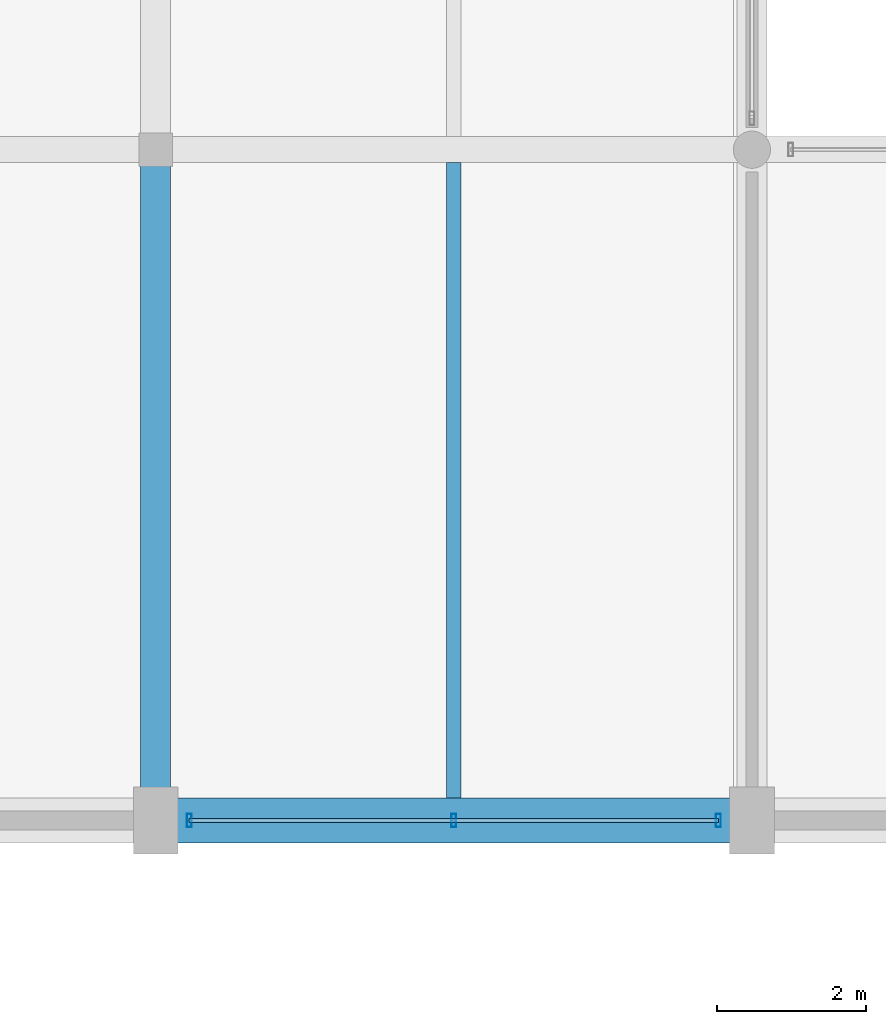
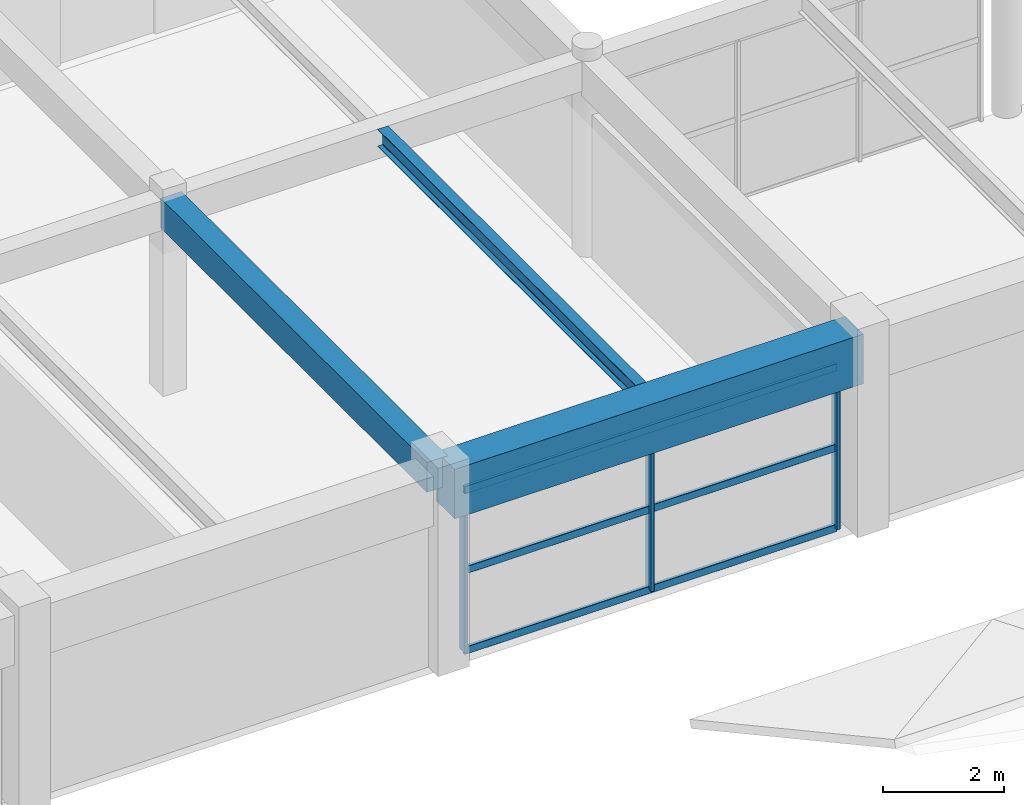
# One storey, part 41 of 126: 6 members, 3 beams, 1 element without a shape of its own.
"""IFC4 building model written with IfcOpenShell, lengths in metres."""

from ifc_helpers import new_model, si_unit, direction, frame, origin, origin_2d, place, context, subcontext, project, spatial, rectangle, hollow_rectangle, i_section, extrude, material, material_profile, profile_set, type_object, element, aggregate, save


model = new_model("IFC4")

# Units and contexts
model_context = context("Model", 3, precision=1e-05, world=origin(), true_north=direction((0.0, 1.0)))
body_context = subcontext(model_context, "Body", "Model", "MODEL_VIEW")
ifc_project = project(units=[si_unit("LENGTHUNIT", "METRE"), si_unit("AREAUNIT", "SQUARE_METRE"), si_unit("VOLUMEUNIT", "CUBIC_METRE"), si_unit("PLANEANGLEUNIT", "RADIAN"), si_unit("MASSUNIT", "GRAM", prefix="KILO")], contexts=[model_context])

# Site, building, storey
site_placement = place(None, origin())
site = spatial("IfcSite", under=ifc_project, at=site_placement, CompositionType="ELEMENT")
building_placement = place(site_placement, origin())
building = spatial("IfcBuilding", under=site, at=building_placement, Name="Varnabhumi Central Station", CompositionType="ELEMENT")
storey_placement = place(building_placement, frame((0.0, 0.0, 16.199951171875)))
storey = spatial("IfcBuildingStorey", under=building, at=storey_placement, Name="L03", CompositionType="ELEMENT", Elevation=16.199951171875)

# Beams
ifc_material_1 = material(Name="Concrete M40", Category="concrete")
ifc_material_profile_1 = material_profile(ifc_material_1, rectangle(XDim=0.39990234375, YDim=0.60009765625, at=origin_2d()), Name="Concrete M40", Category="concrete")
ifc_profile_set_1 = profile_set([ifc_material_profile_1], Name="Concrete M40")
beam_type_1 = type_object("IfcBeamType", Name="BM-RC-400x600", PredefinedType="BEAM", material=ifc_profile_set_1)
beam_1_placement = place(storey_placement, frame((40.0, 80.10009765625, 3.650146484375), z_axis=(0.0, 1.0, 0.0), x_axis=(-1.0, 0.0, 0.0)))
element("IfcBeam", 1, at=beam_1_placement, inside=storey, type_object=beam_type_1, Name="Beam L03-6:K-L", PredefinedType="BEAM", context=body_context, shape_type="SweptSolid", body=[
    extrude(rectangle(XDim=0.39990234375, YDim=0.60009765625, at=origin_2d()), origin(), (0.0, 0.0, 1.0), 8.7998046875),
])
ifc_material_2 = material(Name="Concrete M50", Category="concrete")
ifc_material_profile_2 = material_profile(ifc_material_2, rectangle(XDim=0.60009765625, YDim=1.0, at=origin_2d()), Name="Concrete M50", Category="concrete")
ifc_profile_set_2 = profile_set([ifc_material_profile_2], Name="Concrete M50")
beam_type_2 = type_object("IfcBeamType", Name="BM-RC-600x1000", PredefinedType="BEAM", material=ifc_profile_set_2)
beam_2_placement = place(storey_placement, frame((40.10009765625, 80.0, 3.449951171875), z_axis=(1.0, 0.0, 0.0), x_axis=(0.0, 1.0, 0.0)))
element("IfcBeam", 2, at=beam_2_placement, inside=storey, type_object=beam_type_2, Name="Beam L03-K:6-7", PredefinedType="BEAM", context=body_context, shape_type="SweptSolid", body=[
    extrude(rectangle(XDim=0.60009765625, YDim=1.0, at=origin_2d()), origin(), (0.0, 0.0, 1.0), 7.7998046875),
])
ifc_material_3 = material(Name="Structural steel E350", Category="steel")
ifc_material_profile_3 = material_profile(ifc_material_3, i_section(OverallWidth=0.199951171875, OverallDepth=0.35009765625, WebThickness=0.008056640625, FlangeThickness=0.011474609375, FilletRadius=0.011962890625, at=origin_2d()), Name="Structural steel E350", Category="steel")
ifc_profile_set_3 = profile_set([ifc_material_profile_3], Name="Structural steel E350")
beam_type_3 = type_object("IfcBeamType", Name="BM-STL-ISWB350", PredefinedType="JOIST", material=ifc_profile_set_3)
beam_3_placement = place(storey_placement, frame((44.0, 80.300048828125, 3.775146484375), z_axis=(0.0, 1.0, 0.0), x_axis=(-1.0, 0.0, 0.0)))
element("IfcBeam", 3, at=beam_3_placement, inside=storey, type_object=beam_type_3, Name="Secondary Joist L03-6/7:K-L", PredefinedType="JOIST", context=body_context, shape_type="SweptSolid", body=[
    extrude(i_section(OverallWidth=0.199951171875, OverallDepth=0.35009765625, WebThickness=0.008056640625, FlangeThickness=0.011474609375, FilletRadius=0.011962890625, at=origin_2d()), origin(), (0.0, 0.0, 1.0), 8.52490234375),
])

# Curtain wall, members
ifc_material_4 = material(Name="Anodised aluminium 6063-T6", Category="aluminium")
curtain_wall_type = type_object("IfcCurtainWallType", Name="CW-SPINE-SCREEN-L0", PredefinedType="NOTDEFINED", material=ifc_material_4)
curtain_wall_placement = place(storey_placement, origin())
curtain_wall = element("IfcCurtainWall", 4, at=curtain_wall_placement, inside=storey, type_object=curtain_wall_type, Name="Curtain Wall CW-NS302", PredefinedType="NOTDEFINED")
ifc_material_profile_4 = material_profile(ifc_material_4, hollow_rectangle(XDim=0.06494140625, YDim=0.179931640625, WallThickness=0.00390625, InnerFilletRadius=0.001953125, OuterFilletRadius=0.006103515625, at=origin_2d()), Name="Anodised aluminium 6063-T6", Category="aluminium")
ifc_profile_set_4 = profile_set([ifc_material_profile_4], Name="Anodised aluminium 6063-T6")
member_type_1 = type_object("IfcMemberType", Name="CW-MUL-180", PredefinedType="MULLION", material=ifc_profile_set_4)
member_1_placement = place(storey_placement, frame((40.449951171875, 80.0, 0.0), z_axis=(0.0, 0.0, 1.0), x_axis=(1.0, 0.0, 0.0)))
member_1 = element("IfcMember", 5, at=member_1_placement, type_object=member_type_1, Name="Curtain Wall Mullion CW-NS302-M1", PredefinedType="MULLION", context=body_context, shape_type="SweptSolid", body=[
    extrude(hollow_rectangle(XDim=0.06494140625, YDim=0.179931640625, WallThickness=0.00390625, InnerFilletRadius=0.001953125, OuterFilletRadius=0.006103515625, at=origin_2d()), origin(), (0.0, 0.0, 1.0), 3.239990234375),
])
member_2_placement = place(storey_placement, frame((44.0, 80.0, 0.0), z_axis=(0.0, 0.0, 1.0), x_axis=(1.0, 0.0, 0.0)))
member_2 = element("IfcMember", 6, at=member_2_placement, type_object=member_type_1, Name="Curtain Wall Mullion CW-NS302-M2", PredefinedType="MULLION", context=body_context, shape_type="SweptSolid", body=[
    extrude(hollow_rectangle(XDim=0.06494140625, YDim=0.179931640625, WallThickness=0.00390625, InnerFilletRadius=0.001953125, OuterFilletRadius=0.006103515625, at=origin_2d()), origin(), (0.0, 0.0, 1.0), 3.239990234375),
])
member_3_placement = place(storey_placement, frame((47.550048828125, 80.0, 0.0), z_axis=(0.0, 0.0, 1.0), x_axis=(1.0, 0.0, 0.0)))
member_3 = element("IfcMember", 7, at=member_3_placement, type_object=member_type_1, Name="Curtain Wall Mullion CW-NS302-M3", PredefinedType="MULLION", context=body_context, shape_type="SweptSolid", body=[
    extrude(hollow_rectangle(XDim=0.06494140625, YDim=0.179931640625, WallThickness=0.00390625, InnerFilletRadius=0.001953125, OuterFilletRadius=0.006103515625, at=origin_2d()), origin(), (0.0, 0.0, 1.0), 3.239990234375),
])
ifc_material_profile_5 = material_profile(ifc_material_4, hollow_rectangle(XDim=0.06005859375, YDim=0.14990234375, WallThickness=0.00390625, InnerFilletRadius=0.001953125, OuterFilletRadius=0.006103515625, at=origin_2d()), Name="Anodised aluminium 6063-T6", Category="aluminium")
ifc_profile_set_5 = profile_set([ifc_material_profile_5], Name="Anodised aluminium 6063-T6")
member_type_2 = type_object("IfcMemberType", Name="CW-TR-150", PredefinedType="USERDEFINED", material=ifc_profile_set_5)
member_4_placement = place(storey_placement, frame((40.449951171875, 80.0, 0.0), z_axis=(1.0, 0.0, 0.0), x_axis=(0.0, 1.0, 0.0)))
member_4 = element("IfcMember", 8, at=member_4_placement, type_object=member_type_2, Name="Curtain Wall Transom CW-NS302-T1", ObjectType="TRANSOM", PredefinedType="USERDEFINED", context=body_context, shape_type="SweptSolid", body=[
    extrude(hollow_rectangle(XDim=0.06005859375, YDim=0.14990234375, WallThickness=0.00390625, InnerFilletRadius=0.001953125, OuterFilletRadius=0.006103515625, at=origin_2d()), origin(), (0.0, 0.0, 1.0), 7.10009765625),
])
member_5_placement = place(storey_placement, frame((40.449951171875, 80.0, 1.6201171875), z_axis=(1.0, 0.0, 0.0), x_axis=(0.0, 1.0, 0.0)))
member_5 = element("IfcMember", 9, at=member_5_placement, type_object=member_type_2, Name="Curtain Wall Transom CW-NS302-T2", ObjectType="TRANSOM", PredefinedType="USERDEFINED", context=body_context, shape_type="SweptSolid", body=[
    extrude(hollow_rectangle(XDim=0.06005859375, YDim=0.14990234375, WallThickness=0.00390625, InnerFilletRadius=0.001953125, OuterFilletRadius=0.006103515625, at=origin_2d()), origin(), (0.0, 0.0, 1.0), 7.10009765625),
])
member_6_placement = place(storey_placement, frame((40.449951171875, 80.0, 3.239990234375), z_axis=(1.0, 0.0, 0.0), x_axis=(0.0, 1.0, 0.0)))
member_6 = element("IfcMember", 10, at=member_6_placement, type_object=member_type_2, Name="Curtain Wall Transom CW-NS302-T3", ObjectType="TRANSOM", PredefinedType="USERDEFINED", context=body_context, shape_type="SweptSolid", body=[
    extrude(hollow_rectangle(XDim=0.06005859375, YDim=0.14990234375, WallThickness=0.00390625, InnerFilletRadius=0.001953125, OuterFilletRadius=0.006103515625, at=origin_2d()), origin(), (0.0, 0.0, 1.0), 7.10009765625),
])
aggregate(curtain_wall, [member_1, member_2, member_3, member_4, member_5, member_6])

save(model, "model.ifc")
